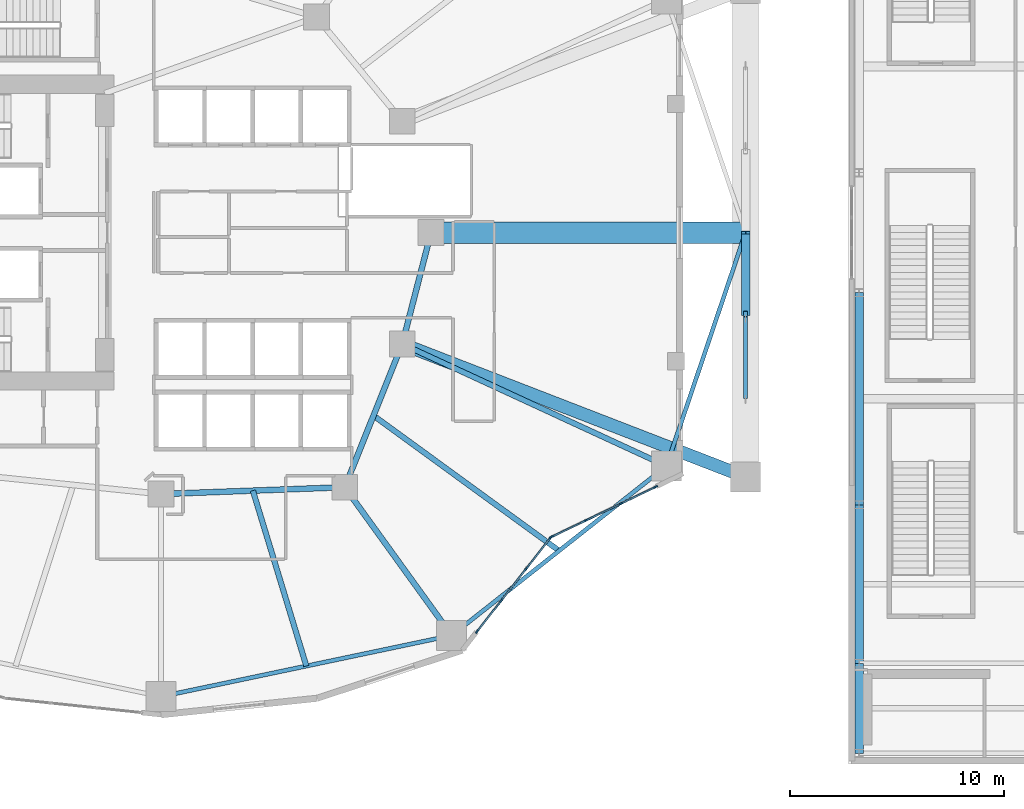
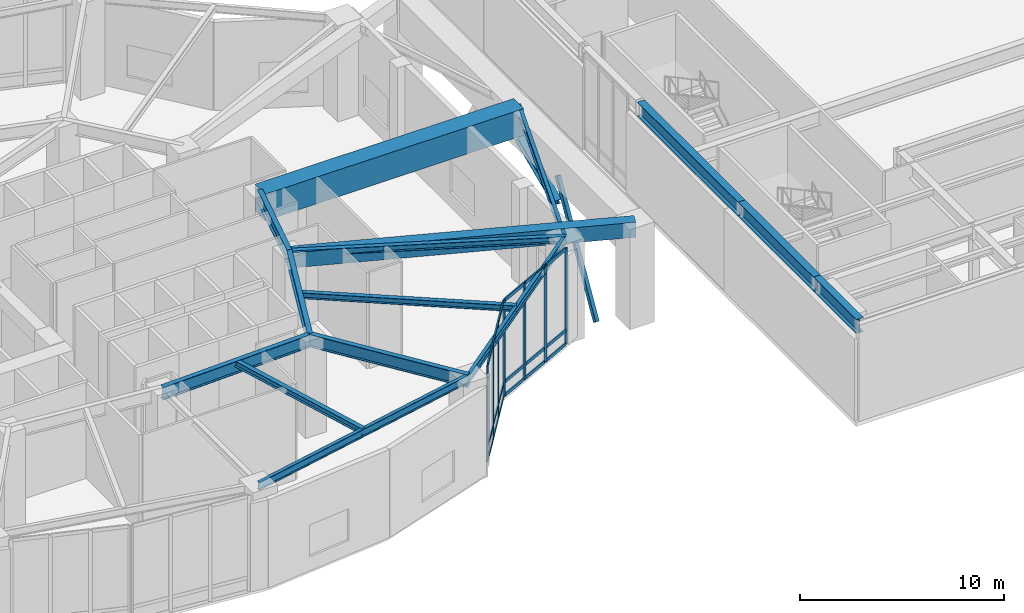
# One storey, part 6 of 25: 28 members, 15 beams, 2 elements without a shape of their own.
"""IFC4 building model written with IfcOpenShell, lengths in metres."""

from ifc_helpers import new_model, si_unit, direction, frame, origin, origin_2d, place, context, subcontext, project, spatial, rectangle, hollow_rectangle, i_section, extrude, material, layer, layer_set, material_profile, profile_set, type_object, element, aggregate, save


model = new_model("IFC4")

# Units and contexts
model_context = context("Model", 3, precision=1e-05, world=origin(), true_north=direction((0.0, 1.0)))
body_context = subcontext(model_context, "Body", "Model", "MODEL_VIEW")
ifc_project = project(units=[si_unit("LENGTHUNIT", "METRE"), si_unit("AREAUNIT", "SQUARE_METRE"), si_unit("VOLUMEUNIT", "CUBIC_METRE"), si_unit("PLANEANGLEUNIT", "RADIAN"), si_unit("MASSUNIT", "GRAM", prefix="KILO")], contexts=[model_context])

# Site, building, storey
site_placement = place(None, origin())
site = spatial("IfcSite", under=ifc_project, at=site_placement, CompositionType="ELEMENT")
building_placement = place(site_placement, origin())
building = spatial("IfcBuilding", under=site, at=building_placement, Name="Kolvaren Gate Tower and Convention Centre", CompositionType="ELEMENT")
storey_placement = place(building_placement, frame((0.0, 0.0, 15.0)))
storey = spatial("IfcBuildingStorey", under=building, at=storey_placement, Name="L03", CompositionType="ELEMENT", Elevation=15.0)

# Curtain wall, members
ifc_material_1 = material(Name="Anodized Architectural Aluminium Alloy 6063-T6", Category="aluminium")
ifc_layer = layer(ifc_material_1, 0.179931640625)
ifc_layer_set = layer_set([ifc_layer], Name="Anodized Architectural Aluminium Alloy 6063-T6")
curtain_wall_type = type_object("IfcCurtainWallType", Name="CW-POD-GLZ", PredefinedType="NOTDEFINED", material=ifc_layer_set)
curtain_wall_1_placement = place(storey_placement, origin())
curtain_wall_1 = element("IfcCurtainWall", 1, at=curtain_wall_1_placement, inside=storey, type_object=curtain_wall_type, Name="Tower L03 Unitised Curtain Wall CW-POD-GLZ Bay 20", PredefinedType="NOTDEFINED")
ifc_material_profile_1 = material_profile(ifc_material_1, rectangle(XDim=0.074951171875, YDim=0.199951171875, at=origin_2d()), Name="CW-MEM-MUL-200")
ifc_profile_set_1 = profile_set([ifc_material_profile_1], Name="Anodized Architectural Aluminium Alloy 6063-T6")
member_type_1 = type_object("IfcMemberType", Name="CW-MEM-MUL-200", PredefinedType="MULLION", material=ifc_profile_set_1)
member_1_placement = place(storey_placement, frame((44.8740234375, 8.39111328125, 0.0), z_axis=(0.0, 0.0, 1.0), x_axis=(-0.787413004527, 0.616425794643, 0.0)))
member_1 = element("IfcMember", 2, at=member_1_placement, type_object=member_type_1, Name="CW-01 mullion 1", PredefinedType="MULLION", context=body_context, shape_type="SweptSolid", body=[
    extrude(rectangle(XDim=0.074951171875, YDim=0.199951171875, at=origin_2d()), origin(), (0.0, 0.0, 1.0), 5.760009765625),
])
member_2_placement = place(storey_placement, frame((46.005615234375, 9.8369140625, 0.0), z_axis=(0.0, 0.0, 1.0), x_axis=(-0.787413004527, 0.616425794643, 0.0)))
member_2 = element("IfcMember", 3, at=member_2_placement, type_object=member_type_1, Name="CW-01 mullion 2", PredefinedType="MULLION", context=body_context, shape_type="SweptSolid", body=[
    extrude(rectangle(XDim=0.074951171875, YDim=0.199951171875, at=origin_2d()), origin(), (0.0, 0.0, 1.0), 5.760009765625),
])
member_3_placement = place(storey_placement, frame((47.160400390625, 11.31201171875, 0.0), z_axis=(0.0, 0.0, 1.0), x_axis=(-0.787413004527, 0.616425794643, 0.0)))
member_3 = element("IfcMember", 4, at=member_3_placement, type_object=member_type_1, Name="CW-01 mullion 3", PredefinedType="MULLION", context=body_context, shape_type="SweptSolid", body=[
    extrude(rectangle(XDim=0.074951171875, YDim=0.199951171875, at=origin_2d()), origin(), (0.0, 0.0, 1.0), 5.760009765625),
])
member_4_placement = place(storey_placement, frame((48.292236328125, 12.757568359375, 0.0), z_axis=(0.0, 0.0, 1.0), x_axis=(-0.787413004527, 0.616425794643, 0.0)))
member_4 = element("IfcMember", 5, at=member_4_placement, type_object=member_type_1, Name="CW-01 mullion 4", PredefinedType="MULLION", context=body_context, shape_type="SweptSolid", body=[
    extrude(rectangle(XDim=0.074951171875, YDim=0.199951171875, at=origin_2d()), origin(), (0.0, 0.0, 1.0), 5.760009765625),
])

curtain_wall_2_placement = place(storey_placement, origin())
curtain_wall_2 = element("IfcCurtainWall", 6, at=curtain_wall_2_placement, inside=storey, type_object=curtain_wall_type, Name="Tower L03 Unitised Curtain Wall CW-POD-GLZ Bay 21", PredefinedType="NOTDEFINED")
member_5_placement = place(storey_placement, frame((48.34912109375, 12.803466796875, 0.0), z_axis=(0.0, 0.0, 1.0), x_axis=(-0.433062688542, 0.90136380435, 0.0)))
member_5 = element("IfcMember", 7, at=member_5_placement, type_object=member_type_1, Name="CW-01 mullion 1", PredefinedType="MULLION", context=body_context, shape_type="SweptSolid", body=[
    extrude(rectangle(XDim=0.074951171875, YDim=0.199951171875, at=origin_2d()), origin(), (0.0, 0.0, 1.0), 5.760009765625),
])
member_6_placement = place(storey_placement, frame((49.955810546875, 13.575439453125, 0.0), z_axis=(0.0, 0.0, 1.0), x_axis=(-0.433062688542, 0.90136380435, 0.0)))
member_6 = element("IfcMember", 8, at=member_6_placement, type_object=member_type_1, Name="CW-01 mullion 2", PredefinedType="MULLION", context=body_context, shape_type="SweptSolid", body=[
    extrude(rectangle(XDim=0.074951171875, YDim=0.199951171875, at=origin_2d()), origin(), (0.0, 0.0, 1.0), 5.760009765625),
])
member_7_placement = place(storey_placement, frame((51.59619140625, 14.363525390625, 0.0), z_axis=(0.0, 0.0, 1.0), x_axis=(-0.433062688542, 0.90136380435, 0.0)))
member_7 = element("IfcMember", 9, at=member_7_placement, type_object=member_type_1, Name="CW-01 mullion 3", PredefinedType="MULLION", context=body_context, shape_type="SweptSolid", body=[
    extrude(rectangle(XDim=0.074951171875, YDim=0.199951171875, at=origin_2d()), origin(), (0.0, 0.0, 1.0), 5.760009765625),
])
member_8_placement = place(storey_placement, frame((53.202880859375, 15.135498046875, 0.0), z_axis=(0.0, 0.0, 1.0), x_axis=(-0.433062688542, 0.90136380435, 0.0)))
member_8 = element("IfcMember", 10, at=member_8_placement, type_object=member_type_1, Name="CW-01 mullion 4", PredefinedType="MULLION", context=body_context, shape_type="SweptSolid", body=[
    extrude(rectangle(XDim=0.074951171875, YDim=0.199951171875, at=origin_2d()), origin(), (0.0, 0.0, 1.0), 5.760009765625),
])

# Member
ifc_material_profile_2 = material_profile(ifc_material_1, rectangle(XDim=0.074951171875, YDim=0.199951171875, at=origin_2d()), Name="CW-MEM-TRN-200")
ifc_profile_set_2 = profile_set([ifc_material_profile_2], Name="Anodized Architectural Aluminium Alloy 6063-T6")
member_type_2 = type_object("IfcMemberType", Name="CW-MEM-TRN-200", PredefinedType="USERDEFINED", material=ifc_profile_set_2)
member_9_placement = place(storey_placement, frame((44.89697265625, 8.420654296875, 0.03759765625), z_axis=(0.616375545802, 0.787452339216, 0.0), x_axis=(-0.787452339216, 0.616375545802, 0.0)))
member_9 = element("IfcMember", 11, at=member_9_placement, type_object=member_type_2, Name="CW-01 transom 1.1", ObjectType="TRANSOM", PredefinedType="USERDEFINED", context=body_context, shape_type="SweptSolid", body=[
    extrude(rectangle(XDim=0.074951171875, YDim=0.199951171875, at=origin_2d()), origin(), (0.0, 0.0, 1.0), 1.760986328125),
])

member_10_placement = place(storey_placement, frame((44.89697265625, 8.420654296875, 0.85009765625), z_axis=(0.616375545802, 0.787452339216, 0.0), x_axis=(-0.787452339216, 0.616375545802, 0.0)))
member_10 = element("IfcMember", 12, at=member_10_placement, type_object=member_type_2, Name="CW-01 transom 1.2", ObjectType="TRANSOM", PredefinedType="USERDEFINED", context=body_context, shape_type="SweptSolid", body=[
    extrude(rectangle(XDim=0.074951171875, YDim=0.199951171875, at=origin_2d()), origin(), (0.0, 0.0, 1.0), 1.760986328125),
])

member_11_placement = place(storey_placement, frame((44.89697265625, 8.420654296875, 5.722412109375), z_axis=(0.616375545802, 0.787452339216, 0.0), x_axis=(-0.787452339216, 0.616375545802, 0.0)))
member_11 = element("IfcMember", 13, at=member_11_placement, type_object=member_type_2, Name="CW-01 transom 1.3", ObjectType="TRANSOM", PredefinedType="USERDEFINED", context=body_context, shape_type="SweptSolid", body=[
    extrude(rectangle(XDim=0.074951171875, YDim=0.199951171875, at=origin_2d()), origin(), (0.0, 0.0, 1.0), 1.760986328125),
])

member_12_placement = place(storey_placement, frame((46.02880859375, 9.866455078125, 0.03759765625), z_axis=(0.616465649316, 0.787381802694, 0.0), x_axis=(-0.787381802694, 0.616465649316, 0.0)))
member_12 = element("IfcMember", 14, at=member_12_placement, type_object=member_type_2, Name="CW-01 transom 2.1", ObjectType="TRANSOM", PredefinedType="USERDEFINED", context=body_context, shape_type="SweptSolid", body=[
    extrude(rectangle(XDim=0.074951171875, YDim=0.199951171875, at=origin_2d()), origin(), (0.0, 0.0, 1.0), 1.79833984375),
])

member_13_placement = place(storey_placement, frame((46.02880859375, 9.866455078125, 0.85009765625), z_axis=(0.616465649316, 0.787381802694, 0.0), x_axis=(-0.787381802694, 0.616465649316, 0.0)))
member_13 = element("IfcMember", 15, at=member_13_placement, type_object=member_type_2, Name="CW-01 transom 2.2", ObjectType="TRANSOM", PredefinedType="USERDEFINED", context=body_context, shape_type="SweptSolid", body=[
    extrude(rectangle(XDim=0.074951171875, YDim=0.199951171875, at=origin_2d()), origin(), (0.0, 0.0, 1.0), 1.79833984375),
])

member_14_placement = place(storey_placement, frame((46.02880859375, 9.866455078125, 5.722412109375), z_axis=(0.616465649316, 0.787381802694, 0.0), x_axis=(-0.787381802694, 0.616465649316, 0.0)))
member_14 = element("IfcMember", 16, at=member_14_placement, type_object=member_type_2, Name="CW-01 transom 2.3", ObjectType="TRANSOM", PredefinedType="USERDEFINED", context=body_context, shape_type="SweptSolid", body=[
    extrude(rectangle(XDim=0.074951171875, YDim=0.199951171875, at=origin_2d()), origin(), (0.0, 0.0, 1.0), 1.79833984375),
])

member_15_placement = place(storey_placement, frame((47.18359375, 11.341552734375, 0.03759765625), z_axis=(0.616442840137, 0.787399660175, 0.0), x_axis=(-0.787399660175, 0.616442840137, 0.0)))
member_15 = element("IfcMember", 17, at=member_15_placement, type_object=member_type_2, Name="CW-01 transom 3.1", ObjectType="TRANSOM", PredefinedType="USERDEFINED", context=body_context, shape_type="SweptSolid", body=[
    extrude(rectangle(XDim=0.074951171875, YDim=0.199951171875, at=origin_2d()), origin(), (0.0, 0.0, 1.0), 1.7607421875),
])

member_16_placement = place(storey_placement, frame((47.18359375, 11.341552734375, 0.85009765625), z_axis=(0.616442840137, 0.787399660175, 0.0), x_axis=(-0.787399660175, 0.616442840137, 0.0)))
member_16 = element("IfcMember", 18, at=member_16_placement, type_object=member_type_2, Name="CW-01 transom 3.2", ObjectType="TRANSOM", PredefinedType="USERDEFINED", context=body_context, shape_type="SweptSolid", body=[
    extrude(rectangle(XDim=0.074951171875, YDim=0.199951171875, at=origin_2d()), origin(), (0.0, 0.0, 1.0), 1.7607421875),
])

member_17_placement = place(storey_placement, frame((47.18359375, 11.341552734375, 5.722412109375), z_axis=(0.616442840137, 0.787399660175, 0.0), x_axis=(-0.787399660175, 0.616442840137, 0.0)))
member_17 = element("IfcMember", 19, at=member_17_placement, type_object=member_type_2, Name="CW-01 transom 3.3", ObjectType="TRANSOM", PredefinedType="USERDEFINED", context=body_context, shape_type="SweptSolid", body=[
    extrude(rectangle(XDim=0.074951171875, YDim=0.199951171875, at=origin_2d()), origin(), (0.0, 0.0, 1.0), 1.7607421875),
])

aggregate(curtain_wall_1, [member_1, member_2, member_3, member_4, member_9, member_10, member_11, member_12, member_13, member_14, member_15, member_16, member_17])

member_18_placement = place(storey_placement, frame((48.3828125, 12.819580078125, 0.03759765625), z_axis=(0.9013511863, 0.433088950397, 0.0), x_axis=(-0.433088950397, 0.9013511863, 0.0)))
member_18 = element("IfcMember", 20, at=member_18_placement, type_object=member_type_2, Name="CW-01 transom 1.1", ObjectType="TRANSOM", PredefinedType="USERDEFINED", context=body_context, shape_type="SweptSolid", body=[
    extrude(rectangle(XDim=0.074951171875, YDim=0.199951171875, at=origin_2d()), origin(), (0.0, 0.0, 1.0), 1.70751953125),
])

member_19_placement = place(storey_placement, frame((48.3828125, 12.819580078125, 0.85009765625), z_axis=(0.9013511863, 0.433088950397, 0.0), x_axis=(-0.433088950397, 0.9013511863, 0.0)))
member_19 = element("IfcMember", 21, at=member_19_placement, type_object=member_type_2, Name="CW-01 transom 1.2", ObjectType="TRANSOM", PredefinedType="USERDEFINED", context=body_context, shape_type="SweptSolid", body=[
    extrude(rectangle(XDim=0.074951171875, YDim=0.199951171875, at=origin_2d()), origin(), (0.0, 0.0, 1.0), 1.70751953125),
])

member_20_placement = place(storey_placement, frame((48.3828125, 12.819580078125, 5.722412109375), z_axis=(0.9013511863, 0.433088950397, 0.0), x_axis=(-0.433088950397, 0.9013511863, 0.0)))
member_20 = element("IfcMember", 22, at=member_20_placement, type_object=member_type_2, Name="CW-01 transom 1.3", ObjectType="TRANSOM", PredefinedType="USERDEFINED", context=body_context, shape_type="SweptSolid", body=[
    extrude(rectangle(XDim=0.074951171875, YDim=0.199951171875, at=origin_2d()), origin(), (0.0, 0.0, 1.0), 1.70751953125),
])

member_21_placement = place(storey_placement, frame((49.989501953125, 13.591552734375, 0.03759765625), z_axis=(0.901339603895, 0.433113055046, 0.0), x_axis=(-0.433113055046, 0.901339603895, 0.0)))
member_21 = element("IfcMember", 23, at=member_21_placement, type_object=member_type_2, Name="CW-01 transom 2.1", ObjectType="TRANSOM", PredefinedType="USERDEFINED", context=body_context, shape_type="SweptSolid", body=[
    extrude(rectangle(XDim=0.074951171875, YDim=0.199951171875, at=origin_2d()), origin(), (0.0, 0.0, 1.0), 1.7451171875),
])

member_22_placement = place(storey_placement, frame((49.989501953125, 13.591552734375, 0.85009765625), z_axis=(0.901339603895, 0.433113055046, 0.0), x_axis=(-0.433113055046, 0.901339603895, 0.0)))
member_22 = element("IfcMember", 24, at=member_22_placement, type_object=member_type_2, Name="CW-01 transom 2.2", ObjectType="TRANSOM", PredefinedType="USERDEFINED", context=body_context, shape_type="SweptSolid", body=[
    extrude(rectangle(XDim=0.074951171875, YDim=0.199951171875, at=origin_2d()), origin(), (0.0, 0.0, 1.0), 1.7451171875),
])

member_23_placement = place(storey_placement, frame((49.989501953125, 13.591552734375, 5.722412109375), z_axis=(0.901339603895, 0.433113055046, 0.0), x_axis=(-0.433113055046, 0.901339603895, 0.0)))
member_23 = element("IfcMember", 25, at=member_23_placement, type_object=member_type_2, Name="CW-01 transom 2.3", ObjectType="TRANSOM", PredefinedType="USERDEFINED", context=body_context, shape_type="SweptSolid", body=[
    extrude(rectangle(XDim=0.074951171875, YDim=0.199951171875, at=origin_2d()), origin(), (0.0, 0.0, 1.0), 1.7451171875),
])

member_24_placement = place(storey_placement, frame((51.630126953125, 14.3798828125, 0.03759765625), z_axis=(0.901406997018, 0.432972777121, 0.0), x_axis=(-0.432972777121, 0.901406997018, 0.0)))
member_24 = element("IfcMember", 26, at=member_24_placement, type_object=member_type_2, Name="CW-01 transom 3.1", ObjectType="TRANSOM", PredefinedType="USERDEFINED", context=body_context, shape_type="SweptSolid", body=[
    extrude(rectangle(XDim=0.074951171875, YDim=0.199951171875, at=origin_2d()), origin(), (0.0, 0.0, 1.0), 1.70751953125),
])

member_25_placement = place(storey_placement, frame((51.630126953125, 14.3798828125, 0.85009765625), z_axis=(0.901406997018, 0.432972777121, 0.0), x_axis=(-0.432972777121, 0.901406997018, 0.0)))
member_25 = element("IfcMember", 27, at=member_25_placement, type_object=member_type_2, Name="CW-01 transom 3.2", ObjectType="TRANSOM", PredefinedType="USERDEFINED", context=body_context, shape_type="SweptSolid", body=[
    extrude(rectangle(XDim=0.074951171875, YDim=0.199951171875, at=origin_2d()), origin(), (0.0, 0.0, 1.0), 1.70751953125),
])

member_26_placement = place(storey_placement, frame((51.630126953125, 14.3798828125, 5.722412109375), z_axis=(0.901406997018, 0.432972777121, 0.0), x_axis=(-0.432972777121, 0.901406997018, 0.0)))
member_26 = element("IfcMember", 28, at=member_26_placement, type_object=member_type_2, Name="CW-01 transom 3.3", ObjectType="TRANSOM", PredefinedType="USERDEFINED", context=body_context, shape_type="SweptSolid", body=[
    extrude(rectangle(XDim=0.074951171875, YDim=0.199951171875, at=origin_2d()), origin(), (0.0, 0.0, 1.0), 1.70751953125),
])

aggregate(curtain_wall_2, [member_5, member_6, member_7, member_8, member_18, member_19, member_20, member_21, member_22, member_23, member_24, member_25, member_26])

# Beams
ifc_material_2 = material(Name="Structural steel ASTM A992 Grade 345 MPa", Category="steel")
ifc_material_profile_3 = material_profile(ifc_material_2, i_section(OverallWidth=0.26806640625, OverallDepth=0.758056640625, WebThickness=0.016357421875, FlangeThickness=0.025390625, at=origin_2d()), Name="W760X220")
ifc_profile_set_3 = profile_set([ifc_material_profile_3], Name="Structural steel ASTM A992 Grade 345 MPa")
beam_type_1 = type_object("IfcBeamType", Name="STR-BM-W760X220", PredefinedType="BEAM", material=ifc_profile_set_3)
beam_1_placement = place(storey_placement, frame((42.72509765625, 27.0, 5.381103515625), z_axis=(-0.250091133936, -0.968222301296, 0.0), x_axis=(0.968222301296, -0.250091133936, 0.0)))
element("IfcBeam", 29, at=beam_1_placement, inside=storey, type_object=beam_type_1, Name="Tower L03 Primary Ring Girder G-01", PredefinedType="BEAM", context=body_context, shape_type="SweptSolid", body=[
    extrude(i_section(OverallWidth=0.26806640625, OverallDepth=0.758056640625, WebThickness=0.016357421875, FlangeThickness=0.025390625, at=origin_2d()), origin(), (0.0, 0.0, 1.0), 5.3701171875),
])
beam_2_placement = place(storey_placement, frame((30.125, 14.800048828125, 5.381103515625), z_axis=(0.999301712453, 0.037364254142, 0.0), x_axis=(-0.037364254142, 0.999301712453, 0.0)))
element("IfcBeam", 30, at=beam_2_placement, inside=storey, type_object=beam_type_1, Name="Tower L03 Primary Ring Girder G-08", PredefinedType="BEAM", context=body_context, shape_type="SweptSolid", body=[
    extrude(i_section(OverallWidth=0.26806640625, OverallDepth=0.758056640625, WebThickness=0.016357421875, FlangeThickness=0.025390625, at=origin_2d()), origin(), (0.0, 0.0, 1.0), 8.579345703125),
])
beam_3_placement = place(storey_placement, frame((38.6982421875, 15.12060546875, 5.381103515625), z_axis=(0.372811100169, 0.927907260232, 0.0), x_axis=(-0.927907260232, 0.372811100169, 0.0)))
element("IfcBeam", 31, at=beam_3_placement, inside=storey, type_object=beam_type_1, Name="Tower L03 Primary Ring Girder G-09", PredefinedType="BEAM", context=body_context, shape_type="SweptSolid", body=[
    extrude(i_section(OverallWidth=0.26806640625, OverallDepth=0.758056640625, WebThickness=0.016357421875, FlangeThickness=0.025390625, at=origin_2d()), origin(), (0.0, 0.0, 1.0), 7.198974609375),
])
beam_4_placement = place(storey_placement, frame((38.6982421875, 15.12060546875, 5.381103515625), z_axis=(0.585208374732, -0.810882949718, 0.0), x_axis=(0.810882949718, 0.585208374732, 0.0)))
element("IfcBeam", 32, at=beam_4_placement, inside=storey, type_object=beam_type_1, Name="Tower L03 Radial Floor Girder RB-11", PredefinedType="BEAM", context=body_context, shape_type="SweptSolid", body=[
    extrude(i_section(OverallWidth=0.26806640625, OverallDepth=0.758056640625, WebThickness=0.016357421875, FlangeThickness=0.025390625, at=origin_2d()), origin(), (0.0, 0.0, 1.0), 8.5302734375),
])
ifc_material_profile_4 = material_profile(ifc_material_2, i_section(OverallWidth=0.39990234375, OverallDepth=0.85498046875, WebThickness=0.018310546875, FlangeThickness=0.029296875, at=origin_2d()), Name="W840X299")
ifc_profile_set_4 = profile_set([ifc_material_profile_4], Name="Structural steel ASTM A992 Grade 345 MPa")
beam_type_2 = type_object("IfcBeamType", Name="STR-BM-W840X299", PredefinedType="BEAM", material=ifc_profile_set_4)
beam_5_placement = place(storey_placement, frame((62.699951171875, 2.699951171875, 5.33251953125), z_axis=(0.0, 1.0, 0.0), x_axis=(-1.0, 0.0, 0.0)))
element("IfcBeam", 33, at=beam_5_placement, inside=storey, type_object=beam_type_2, Name="Convention L03 Longitudinal Girder CG-11", PredefinedType="BEAM", context=body_context, shape_type="SweptSolid", body=[
    extrude(i_section(OverallWidth=0.39990234375, OverallDepth=0.85498046875, WebThickness=0.018310546875, FlangeThickness=0.029296875, at=origin_2d()), origin(), (0.0, 0.0, 1.0), 4.199951171875),
])
beam_6_placement = place(storey_placement, frame((62.699951171875, 6.89990234375, 5.33251953125), z_axis=(0.0, 1.0, 0.0), x_axis=(-1.0, 0.0, 0.0)))
element("IfcBeam", 34, at=beam_6_placement, inside=storey, type_object=beam_type_2, Name="Convention L03 Longitudinal Girder CG-12", PredefinedType="BEAM", context=body_context, shape_type="SweptSolid", body=[
    extrude(i_section(OverallWidth=0.39990234375, OverallDepth=0.85498046875, WebThickness=0.018310546875, FlangeThickness=0.029296875, at=origin_2d()), origin(), (0.0, 0.0, 1.0), 7.400146484375),
])
beam_7_placement = place(storey_placement, frame((62.699951171875, 14.300048828125, 5.33251953125), z_axis=(0.0, 1.0, 0.0), x_axis=(-1.0, 0.0, 0.0)))
element("IfcBeam", 35, at=beam_7_placement, inside=storey, type_object=beam_type_2, Name="Convention L03 Longitudinal Girder CG-13", PredefinedType="BEAM", context=body_context, shape_type="SweptSolid", body=[
    extrude(i_section(OverallWidth=0.39990234375, OverallDepth=0.85498046875, WebThickness=0.018310546875, FlangeThickness=0.029296875, at=origin_2d()), origin(), (0.0, 0.0, 1.0), 9.89990234375),
])

# Member
ifc_material_profile_5 = material_profile(ifc_material_2, i_section(OverallWidth=0.39501953125, OverallDepth=0.3798828125, WebThickness=0.018798828125, FlangeThickness=0.0302734375, at=origin_2d()), Name="W360X237")
ifc_profile_set_5 = profile_set([ifc_material_profile_5], Name="Structural steel ASTM A992 Grade 345 MPa")
member_type_3 = type_object("IfcMemberType", Name="STR-CH-W360X237", PredefinedType="CHORD", material=ifc_profile_set_5)
member_27_placement = place(storey_placement, frame((57.39990234375, 23.199951171875, 2.14208984375), z_axis=(0.0, 0.920078037536, 0.391735120768), x_axis=(-1.0, 0.0, 0.0)))
element("IfcMember", 36, at=member_27_placement, inside=storey, type_object=member_type_3, Name="Monumental East Portal Parabolic Arch Rib AR-03", PredefinedType="CHORD", context=body_context, shape_type="SweptSolid", body=[
    extrude(i_section(OverallWidth=0.39501953125, OverallDepth=0.3798828125, WebThickness=0.018798828125, FlangeThickness=0.0302734375, at=origin_2d()), origin(), (0.0, 0.0, 1.0), 4.130126953125),
])

# Beams
ifc_material_profile_6 = material_profile(ifc_material_2, i_section(OverallWidth=0.2548828125, OverallDepth=0.35693359375, WebThickness=0.010498046875, FlangeThickness=0.018310546875, at=origin_2d()), Name="W360X101")
ifc_profile_set_6 = profile_set([ifc_material_profile_6], Name="Structural steel ASTM A992 Grade 345 MPa")
beam_type_3 = type_object("IfcBeamType", Name="STR-JS-W360X101", PredefinedType="JOIST", material=ifc_profile_set_6)
beam_8_placement = place(storey_placement, frame((41.382080078125, 21.800537109375, 5.58154296875), z_axis=(0.907842006347, -0.419312403241, 0.0), x_axis=(0.419312403241, 0.907842006347, 0.0)))
element("IfcBeam", 37, at=beam_8_placement, inside=storey, type_object=beam_type_3, Name="Tower L03 Radial Floor Girder RB-12", PredefinedType="JOIST", context=body_context, shape_type="SweptSolid", body=[
    extrude(i_section(OverallWidth=0.2548828125, OverallDepth=0.35693359375, WebThickness=0.010498046875, FlangeThickness=0.018310546875, at=origin_2d()), origin(), (0.0, 0.0, 1.0), 13.57958984375),
])
beam_9_placement = place(storey_placement, frame((34.41162109375, 14.960205078125, 5.58154296875), z_axis=(0.291750890749, -0.956494337541, 0.0), x_axis=(0.956494337541, 0.291750890749, 0.0)))
element("IfcBeam", 38, at=beam_9_placement, inside=storey, type_object=beam_type_3, Name="Tower L03 Secondary Composite Floor Joist J-10.1", PredefinedType="JOIST", context=body_context, shape_type="SweptSolid", body=[
    extrude(i_section(OverallWidth=0.2548828125, OverallDepth=0.35693359375, WebThickness=0.010498046875, FlangeThickness=0.018310546875, at=origin_2d()), origin(), (0.0, 0.0, 1.0), 8.5556640625),
])
beam_10_placement = place(storey_placement, frame((40.040283203125, 18.46044921875, 5.58154296875), z_axis=(0.808411716387, -0.588617445212, 0.0), x_axis=(0.588617445212, 0.808411716387, 0.0)))
element("IfcBeam", 39, at=beam_10_placement, inside=storey, type_object=beam_type_3, Name="Tower L03 Secondary Composite Floor Joist J-11.1", PredefinedType="JOIST", context=body_context, shape_type="SweptSolid", body=[
    extrude(i_section(OverallWidth=0.2548828125, OverallDepth=0.35693359375, WebThickness=0.010498046875, FlangeThickness=0.018310546875, at=origin_2d()), origin(), (0.0, 0.0, 1.0), 10.712158203125),
])
ifc_material_profile_7 = material_profile(ifc_material_2, i_section(OverallWidth=0.194091796875, OverallDepth=0.468994140625, WebThickness=0.0126953125, FlangeThickness=0.0205078125, at=origin_2d()), Name="W460X106")
ifc_profile_set_7 = profile_set([ifc_material_profile_7], Name="Structural steel ASTM A992 Grade 345 MPa")
beam_type_4 = type_object("IfcBeamType", Name="STR-SP-W460X106", PredefinedType="SPANDREL", material=ifc_profile_set_7)
beam_11_placement = place(storey_placement, frame((30.125, 5.35009765625, 5.525390625), z_axis=(0.978583407863, 0.205850707685, 0.0), x_axis=(-0.205850707685, 0.978583407863, 0.0)))
element("IfcBeam", 40, at=beam_11_placement, inside=storey, type_object=beam_type_4, Name="Tower L03 Perimeter Spandrel Beam SP-10", PredefinedType="SPANDREL", context=body_context, shape_type="SweptSolid", body=[
    extrude(i_section(OverallWidth=0.194091796875, OverallDepth=0.468994140625, WebThickness=0.0126953125, FlangeThickness=0.0205078125, at=origin_2d()), origin(), (0.0, 0.0, 1.0), 13.862060546875),
])
beam_12_placement = place(storey_placement, frame((43.690185546875, 8.20361328125, 5.525390625), z_axis=(0.785176498861, 0.619272044933, 0.0), x_axis=(-0.619272044933, 0.785176498861, 0.0)))
element("IfcBeam", 41, at=beam_12_placement, inside=storey, type_object=beam_type_4, Name="Tower L03 Perimeter Spandrel Beam SP-11", PredefinedType="SPANDREL", context=body_context, shape_type="SweptSolid", body=[
    extrude(i_section(OverallWidth=0.194091796875, OverallDepth=0.468994140625, WebThickness=0.0126953125, FlangeThickness=0.0205078125, at=origin_2d()), origin(), (0.0, 0.0, 1.0), 12.761474609375),
])
beam_13_placement = place(storey_placement, frame((53.710205078125, 16.1064453125, 5.525390625), z_axis=(0.320802733798, 0.947146032029, 0.0), x_axis=(-0.947146032029, 0.320802733798, 0.0)))
element("IfcBeam", 42, at=beam_13_placement, inside=storey, type_object=beam_type_4, Name="Tower L03 Perimeter Spandrel Beam SP-12", PredefinedType="SPANDREL", context=body_context, shape_type="SweptSolid", body=[
    extrude(i_section(OverallWidth=0.194091796875, OverallDepth=0.468994140625, WebThickness=0.0126953125, FlangeThickness=0.0205078125, at=origin_2d()), origin(), (0.0, 0.0, 1.0), 11.50146484375),
])

# Member
ifc_material_3 = material(Name="Structural steel ASTM A500 Grade C 345 MPa", Category="steel")
ifc_material_profile_8 = material_profile(ifc_material_3, hollow_rectangle(XDim=0.202880859375, YDim=0.304931640625, WallThickness=0.0126953125, at=origin_2d()), Name="HSS305X203X12.7")
ifc_profile_set_8 = profile_set([ifc_material_profile_8], Name="Structural steel ASTM A500 Grade C 345 MPa")
member_type_4 = type_object("IfcMemberType", Name="STR-ST-HSS305X203", PredefinedType="STRUT", material=ifc_profile_set_8)
member_28_placement = place(storey_placement, frame((57.39990234375, 19.39990234375, -2.711181640625), z_axis=(0.0, 0.506373091128, 0.86231449749), x_axis=(-1.0, 0.0, 0.0)))
element("IfcMember", 43, at=member_28_placement, inside=storey, type_object=member_type_4, Name="Portal Arch Spandrel Diagonal Strut ASD-02", PredefinedType="STRUT", context=body_context, shape_type="SweptSolid", body=[
    extrude(hollow_rectangle(XDim=0.202880859375, YDim=0.304931640625, WallThickness=0.0126953125, at=origin_2d()), origin(), (0.0, 0.0, 1.0), 7.50439453125),
])

# Beams
ifc_material_4 = material(Name="Concrete C60/75", Category="concrete")
ifc_material_profile_9 = material_profile(ifc_material_4, rectangle(XDim=0.60009765625, YDim=0.89990234375, at=origin_2d()), Name="RC-BM-600X900")
ifc_profile_set_9 = profile_set([ifc_material_profile_9], Name="Concrete C60/75")
beam_type_5 = type_object("IfcBeamType", Name="STR-TB-RC600X900", PredefinedType="USERDEFINED", material=ifc_profile_set_9)
beam_14_placement = place(storey_placement, frame((57.39990234375, 15.60009765625, 5.31005859375), z_axis=(-0.932568252635, 0.360993703793, 0.0), x_axis=(-0.360993703793, -0.932568252635, 0.0)))
element("IfcBeam", 44, at=beam_14_placement, inside=storey, type_object=beam_type_5, Name="Diaphragm Collector Tie Beam ATB-04", ObjectType="TIE BEAM", PredefinedType="USERDEFINED", context=body_context, shape_type="SweptSolid", body=[
    extrude(rectangle(XDim=0.60009765625, YDim=0.89990234375, at=origin_2d()), origin(), (0.0, 0.0, 1.0), 17.176025390625),
])
ifc_material_5 = material(Name="Concrete C70/85", Category="concrete")
ifc_material_profile_10 = material_profile(ifc_material_5, rectangle(XDim=1.0, YDim=1.60009765625, at=origin_2d()), Name="RC-BM-1000X1600")
ifc_profile_set_10 = profile_set([ifc_material_profile_10], Name="Concrete C70/85")
beam_type_6 = type_object("IfcBeamType", Name="STR-TG-RC1000X1600", PredefinedType="USERDEFINED", material=ifc_profile_set_10)
beam_15_placement = place(storey_placement, frame((42.72509765625, 27.0, 4.9599609375), z_axis=(1.0, 0.0, 0.0), x_axis=(0.0, 1.0, 0.0)))
element("IfcBeam", 45, at=beam_15_placement, inside=storey, type_object=beam_type_6, Name="Portal Arch Radial Transfer Girder ATG-02", ObjectType="TRANSFER GIRDER", PredefinedType="USERDEFINED", context=body_context, shape_type="SweptSolid", body=[
    extrude(rectangle(XDim=1.0, YDim=1.60009765625, at=origin_2d()), origin(), (0.0, 0.0, 1.0), 14.6748046875),
])

save(model, "model.ifc")
